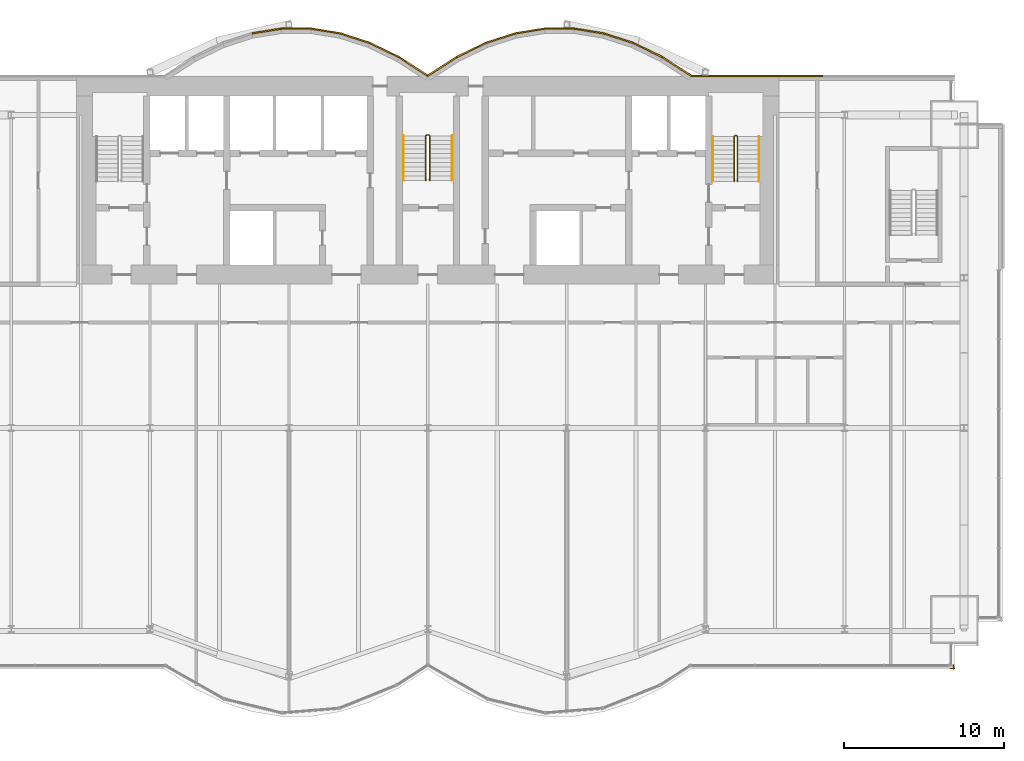
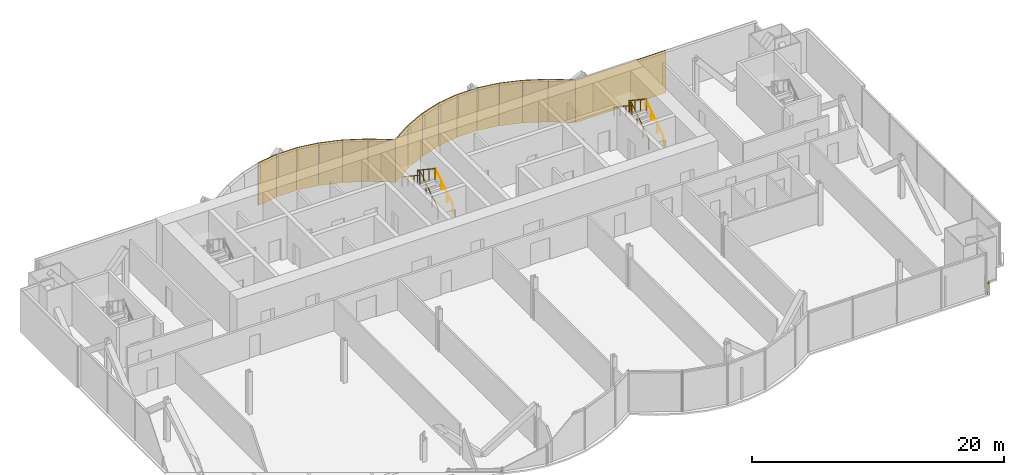
# One storey, part 20 of 21: 16 coverings, 7 railings.
"""IFC4 building model written with IfcOpenShell, lengths in metres."""

from ifc_helpers import new_model, si_unit, direction, frame, origin, origin_2d, place, context, subcontext, project, spatial, rectangle, circle, extrude, material, layer, layer_set, type_object, element, save


model = new_model("IFC4")

# Units and contexts
model_context = context("Model", 3, precision=1e-05, world=origin(), true_north=direction((0.0, 1.0)))
body_context = subcontext(model_context, "Body", "Model", "MODEL_VIEW")
ifc_project = project(units=[si_unit("LENGTHUNIT", "METRE"), si_unit("AREAUNIT", "SQUARE_METRE"), si_unit("VOLUMEUNIT", "CUBIC_METRE"), si_unit("PLANEANGLEUNIT", "RADIAN"), si_unit("MASSUNIT", "GRAM", prefix="KILO")], contexts=[model_context])

# Site, building, storey
site_placement = place(None, origin())
site = spatial("IfcSite", under=ifc_project, at=site_placement, CompositionType="ELEMENT")
building_placement = place(site_placement, origin())
building = spatial("IfcBuilding", under=site, at=building_placement, Name="Bicima Exchange Tower", CompositionType="ELEMENT")
storey_placement = place(building_placement, frame((0.0, 0.0, 122.699951171875)))
storey = spatial("IfcBuildingStorey", under=building, at=storey_placement, Name="L26", CompositionType="ELEMENT", Elevation=122.699951171875)

# Coverings
ifc_material_1 = material(Name="Bronze metal cladding")
ifc_layer_1 = layer(ifc_material_1, 0.004)
ifc_material_2 = material(Name="Ventilated cavity")
ifc_layer_2 = layer(ifc_material_2, 0.06)
ifc_material_3 = material(Name="Galvanised steel rail and mineral wool", Category="steel")
ifc_layer_3 = layer(ifc_material_3, 0.036)
ifc_layer_set = layer_set([ifc_layer_1, ifc_layer_2, ifc_layer_3], Name="Ventilated cavity")
covering_type = type_object("IfcCoveringType", Name="Bronze metal cladding panel 100", PredefinedType="CLADDING", material=ifc_layer_set)
covering_1_placement = place(storey_placement, frame((20.625, 0.050048828125, -0.14990234375), z_axis=(0.0, 0.0, 1.0), x_axis=(-1.0, 0.0, 0.0)))
element("IfcCovering", 1, at=covering_1_placement, inside=storey, type_object=covering_type, Name="Bronze cladding L26 1.2", PredefinedType="CLADDING", context=body_context, shape_type="SweptSolid", body=[
    extrude(rectangle(XDim=8.25, YDim=0.10009765625, at=origin_2d()), origin(), (0.0, 0.0, 1.0), 4.10009765625),
])
covering_2_placement = place(storey_placement, frame((15.610595703125, 0.634521484375, -0.14990234375), z_axis=(0.0, 0.0, 1.0), x_axis=(-0.839790466384, 0.542910648791, 0.0)))
element("IfcCovering", 2, at=covering_2_placement, inside=storey, type_object=covering_type, Name="Bronze cladding L26 2.1", PredefinedType="CLADDING", context=body_context, shape_type="SweptSolid", body=[
    extrude(rectangle(XDim=2.18310546875, YDim=0.10009765625, at=origin_2d()), origin(), (0.0, 0.0, 1.0), 4.10009765625),
])
covering_3_placement = place(storey_placement, frame((13.771728515625, 1.674560546875, -0.14990234375), z_axis=(0.0, 0.0, 1.0), x_axis=(-0.899818346812, 0.436264762204, 0.0)))
element("IfcCovering", 3, at=covering_3_placement, inside=storey, type_object=covering_type, Name="Bronze cladding L26 3.1", PredefinedType="CLADDING", context=body_context, shape_type="SweptSolid", body=[
    extrude(rectangle(XDim=2.03759765625, YDim=0.10009765625, at=origin_2d()), origin(), (0.0, 0.0, 1.0), 4.10009765625),
])
covering_4_placement = place(storey_placement, frame((11.931884765625, 2.41796875, -0.14990234375), z_axis=(0.0, 0.0, 1.0), x_axis=(-0.951524642381, 0.307572519808, 0.0)))
element("IfcCovering", 4, at=covering_4_placement, inside=storey, type_object=covering_type, Name="Bronze cladding L26 4.1", PredefinedType="CLADDING", context=body_context, shape_type="SweptSolid", body=[
    extrude(rectangle(XDim=1.9267578125, YDim=0.10009765625, at=origin_2d()), origin(), (0.0, 0.0, 1.0), 4.10009765625),
])
covering_5_placement = place(storey_placement, frame((10.09130859375, 2.8642578125, -0.14990234375), z_axis=(0.0, 0.0, 1.0), x_axis=(-0.987189786347, 0.159550386184, 0.0)))
element("IfcCovering", 5, at=covering_5_placement, inside=storey, type_object=covering_type, Name="Bronze cladding L26 5.1", PredefinedType="CLADDING", context=body_context, shape_type="SweptSolid", body=[
    extrude(rectangle(XDim=1.857177734375, YDim=0.10009765625, at=origin_2d()), origin(), (0.0, 0.0, 1.0), 4.10009765625),
])
covering_6_placement = place(storey_placement, frame((8.25, 3.012939453125, -0.14990234375), z_axis=(0.0, 0.0, 1.0), x_axis=(-1.0, 0.0, 0.0)))
element("IfcCovering", 6, at=covering_6_placement, inside=storey, type_object=covering_type, Name="Bronze cladding L26 6.1", PredefinedType="CLADDING", context=body_context, shape_type="SweptSolid", body=[
    extrude(rectangle(XDim=1.83349609375, YDim=0.10009765625, at=origin_2d()), origin(), (0.0, 0.0, 1.0), 4.10009765625),
])
covering_7_placement = place(storey_placement, frame((6.40869140625, 2.8642578125, -0.14990234375), z_axis=(0.0, 0.0, 1.0), x_axis=(-0.987189786347, -0.159550386184, 0.0)))
element("IfcCovering", 7, at=covering_7_placement, inside=storey, type_object=covering_type, Name="Bronze cladding L26 7.1", PredefinedType="CLADDING", context=body_context, shape_type="SweptSolid", body=[
    extrude(rectangle(XDim=1.857177734375, YDim=0.10009765625, at=origin_2d()), origin(), (0.0, 0.0, 1.0), 4.10009765625),
])
covering_8_placement = place(storey_placement, frame((4.568115234375, 2.41796875, -0.14990234375), z_axis=(0.0, 0.0, 1.0), x_axis=(-0.951524642381, -0.307572519808, 0.0)))
element("IfcCovering", 8, at=covering_8_placement, inside=storey, type_object=covering_type, Name="Bronze cladding L26 8.1", PredefinedType="CLADDING", context=body_context, shape_type="SweptSolid", body=[
    extrude(rectangle(XDim=1.9267578125, YDim=0.10009765625, at=origin_2d()), origin(), (0.0, 0.0, 1.0), 4.10009765625),
])
covering_9_placement = place(storey_placement, frame((2.728271484375, 1.674560546875, -0.14990234375), z_axis=(0.0, 0.0, 1.0), x_axis=(-0.899818346812, -0.436264762204, 0.0)))
element("IfcCovering", 9, at=covering_9_placement, inside=storey, type_object=covering_type, Name="Bronze cladding L26 9.1", PredefinedType="CLADDING", context=body_context, shape_type="SweptSolid", body=[
    extrude(rectangle(XDim=2.03759765625, YDim=0.10009765625, at=origin_2d()), origin(), (0.0, 0.0, 1.0), 4.10009765625),
])
for number, where, z_axis, x_axis, name in (
    (10, (0.889404296875, 0.634521484375, -0.14990234375), (0.0, 0.0, 1.0), (-0.839790466384, -0.542910648791, 0.0), "Bronze cladding L26 10.1"),
    (11, (-0.889404296875, 0.634521484375, -0.14990234375), (0.0, 0.0, 1.0), (-0.839790466384, 0.542910648791, 0.0), "Bronze cladding L26 11.1"),
):
    element("IfcCovering", number, at=place(storey_placement, frame(where, z_axis=z_axis, x_axis=x_axis)), inside=storey, type_object=covering_type, Name=name, PredefinedType="CLADDING", context=body_context, shape_type="SweptSolid", body=[
        extrude(rectangle(XDim=2.18310546875, YDim=0.10009765625, at=origin_2d()), origin(), (0.0, 0.0, 1.0), 4.10009765625),
    ])
covering_10_placement = place(storey_placement, frame((-2.728271484375, 1.674560546875, -0.14990234375), z_axis=(0.0, 0.0, 1.0), x_axis=(-0.899818346812, 0.436264762204, 0.0)))
element("IfcCovering", 12, at=covering_10_placement, inside=storey, type_object=covering_type, Name="Bronze cladding L26 12.1", PredefinedType="CLADDING", context=body_context, shape_type="SweptSolid", body=[
    extrude(rectangle(XDim=2.03759765625, YDim=0.10009765625, at=origin_2d()), origin(), (0.0, 0.0, 1.0), 4.10009765625),
])
covering_11_placement = place(storey_placement, frame((-4.568115234375, 2.41796875, -0.14990234375), z_axis=(0.0, 0.0, 1.0), x_axis=(-0.951524642381, 0.307572519808, 0.0)))
element("IfcCovering", 13, at=covering_11_placement, inside=storey, type_object=covering_type, Name="Bronze cladding L26 13.1", PredefinedType="CLADDING", context=body_context, shape_type="SweptSolid", body=[
    extrude(rectangle(XDim=1.9267578125, YDim=0.10009765625, at=origin_2d()), origin(), (0.0, 0.0, 1.0), 4.10009765625),
])
covering_12_placement = place(storey_placement, frame((-6.40869140625, 2.8642578125, -0.14990234375), z_axis=(0.0, 0.0, 1.0), x_axis=(-0.987189786347, 0.159550386184, 0.0)))
element("IfcCovering", 14, at=covering_12_placement, inside=storey, type_object=covering_type, Name="Bronze cladding L26 14.1", PredefinedType="CLADDING", context=body_context, shape_type="SweptSolid", body=[
    extrude(rectangle(XDim=1.857177734375, YDim=0.10009765625, at=origin_2d()), origin(), (0.0, 0.0, 1.0), 4.10009765625),
])
covering_13_placement = place(storey_placement, frame((-8.25, 3.012939453125, -0.14990234375), z_axis=(0.0, 0.0, 1.0), x_axis=(-1.0, 0.0, 0.0)))
element("IfcCovering", 15, at=covering_13_placement, inside=storey, type_object=covering_type, Name="Bronze cladding L26 15.1", PredefinedType="CLADDING", context=body_context, shape_type="SweptSolid", body=[
    extrude(rectangle(XDim=1.83349609375, YDim=0.10009765625, at=origin_2d()), origin(), (0.0, 0.0, 1.0), 4.10009765625),
])
covering_14_placement = place(storey_placement, frame((-10.09130859375, 2.8642578125, -0.14990234375), z_axis=(0.0, 0.0, 1.0), x_axis=(-0.987189786347, -0.159550386184, 0.0)))
element("IfcCovering", 16, at=covering_14_placement, inside=storey, type_object=covering_type, Name="Bronze cladding L26 16.1", PredefinedType="CLADDING", context=body_context, shape_type="SweptSolid", body=[
    extrude(rectangle(XDim=1.857177734375, YDim=0.10009765625, at=origin_2d()), origin(), (0.0, 0.0, 1.0), 4.10009765625),
])

# Railings
ifc_material_4 = material(Name="Stainless steel and bonded safety glass", Category="steel")
railing_type_1 = type_object("IfcRailingType", Name="Edge guard 1100", PredefinedType="GUARDRAIL", material=ifc_material_4)
railing_1_placement = place(storey_placement, frame((32.949951171875, -36.8701171875, 0.0)))
element("IfcRailing", 17, at=railing_1_placement, inside=storey, type_object=railing_type_1, Name="Edge guard L26 130", PredefinedType="GUARDRAIL", context=body_context, shape_type="SweptSolid", body=[
    extrude(circle(Radius=0.02392578125, at=origin_2d()), frame((0.0, 0.0, 1.076171875), z_axis=(0.0, -1.0, 0.0), x_axis=(1.0, 0.0, 0.0)), (0.0, 0.0, 1.0), 0.25),
    extrude(circle(Radius=0.02392578125, at=origin_2d()), frame((0.0, -0.25, 1.076171875), z_axis=(0.707106781187, 0.707106781187, 0.0), x_axis=(-0.707106781187, 0.707106781187, 0.0)), (0.0, 0.0, 1.0), 0.07080078125),
    extrude(circle(Radius=0.02392578125, at=origin_2d()), frame((0.050048828125, -0.199951171875, 1.076171875), z_axis=(-1.0, 0.0, 0.0), x_axis=(0.0, -1.0, 0.0)), (0.0, 0.0, 1.0), 0.25),
    extrude(circle(Radius=0.02099609375, at=origin_2d()), origin(), (0.0, 0.0, 1.0), 1.052001953125),
    extrude(circle(Radius=0.02099609375, at=origin_2d()), frame((0.0, -0.25, 0.0)), (0.0, 0.0, 1.0), 1.052001953125),
    extrude(circle(Radius=0.02099609375, at=origin_2d()), frame((0.050048828125, -0.199951171875, 0.0)), (0.0, 0.0, 1.0), 1.052001953125),
    extrude(circle(Radius=0.02099609375, at=origin_2d()), frame((-0.199951171875, -0.199951171875, 0.0)), (0.0, 0.0, 1.0), 1.052001953125),
])
ifc_material_5 = material(Name="Stainless steel", Category="steel")
railing_type_2 = type_object("IfcRailingType", Name="Stair guard 1100", PredefinedType="GUARDRAIL", material=ifc_material_5)
railing_2_placement = place(storey_placement, frame((0.125, -6.5, 0.1865234375)))
element("IfcRailing", 18, at=railing_2_placement, inside=storey, type_object=railing_type_2, Name="L26 ST-C stair guard 1", PredefinedType="GUARDRAIL", context=body_context, shape_type="SweptSolid", body=[
    extrude(circle(Radius=0.02392578125, at=origin_2d()), frame((0.0, 0.0, 1.076171875), z_axis=(0.0, 0.832485552168, 0.554046753832), x_axis=(-1.0, 0.0, 0.0)), (0.0, 0.0, 1.0), 3.363525390625),
    extrude(circle(Radius=0.02392578125, at=origin_2d()), frame((0.0, 2.800048828125, 2.939453125), z_axis=(-0.707106781187, 0.707106781187, 0.0), x_axis=(-0.707106781187, -0.707106781187, 0.0)), (0.0, 0.0, 1.0), 0.07080078125),
    extrude(circle(Radius=0.02392578125, at=origin_2d()), frame((-0.050048828125, 2.85009765625, 2.939453125), z_axis=(-1.0, 0.0, 0.0), x_axis=(0.0, -1.0, 0.0)), (0.0, 0.0, 1.0), 0.14990234375),
    extrude(circle(Radius=0.02392578125, at=origin_2d()), frame((-0.199951171875, 2.85009765625, 2.939453125), z_axis=(-0.251157038772, -0.251157038772, 0.934794246747), x_axis=(0.707106781187, -0.707106781187, 0.0)), (0.0, 0.0, 1.0), 0.19921875),
    extrude(circle(Radius=0.02392578125, at=origin_2d()), frame((-0.25, 2.800048828125, 3.1259765625), z_axis=(0.0, -0.832452072856, 0.554097055034), x_axis=(1.0, 0.0, 0.0)), (0.0, 0.0, 1.0), 3.363525390625),
    extrude(circle(Radius=0.02099609375, at=origin_2d()), origin(), (0.0, 0.0, 1.0), 1.052001953125),
    extrude(circle(Radius=0.02099609375, at=origin_2d()), frame((0.0, 0.933349609375, 0.62109375)), (0.0, 0.0, 1.0), 1.052001953125),
    extrude(circle(Radius=0.02099609375, at=origin_2d()), frame((0.0, 1.86669921875, 1.242431640625)), (0.0, 0.0, 1.0), 1.052001953125),
    extrude(circle(Radius=0.02099609375, at=origin_2d()), frame((0.0, 2.800048828125, 1.863525390625)), (0.0, 0.0, 1.0), 1.052001953125),
    extrude(circle(Radius=0.02099609375, at=origin_2d()), frame((-0.050048828125, 2.85009765625, 1.863525390625)), (0.0, 0.0, 1.0), 1.052001953125),
    extrude(circle(Radius=0.02099609375, at=origin_2d()), frame((-0.199951171875, 2.85009765625, 1.863525390625)), (0.0, 0.0, 1.0), 1.052001953125),
    extrude(circle(Radius=0.02099609375, at=origin_2d()), frame((-0.25, 2.800048828125, 2.0498046875)), (0.0, 0.0, 1.0), 1.052001953125),
    extrude(circle(Radius=0.02099609375, at=origin_2d()), frame((-0.25, 1.86669921875, 2.671142578125)), (0.0, 0.0, 1.0), 1.052001953125),
    extrude(circle(Radius=0.02099609375, at=origin_2d()), frame((-0.25, 0.933349609375, 3.292236328125)), (0.0, 0.0, 1.0), 1.052001953125),
    extrude(circle(Radius=0.02099609375, at=origin_2d()), frame((-0.25, 0.0, 3.91357421875)), (0.0, 0.0, 1.0), 1.052001953125),
])
railing_3_placement = place(storey_placement, frame((19.39990234375, -6.550048828125, 0.1865234375)))
element("IfcRailing", 19, at=railing_3_placement, inside=storey, type_object=railing_type_2, Name="L26 ST-E stair guard 1", PredefinedType="GUARDRAIL", context=body_context, shape_type="SweptSolid", body=[
    extrude(circle(Radius=0.02392578125, at=origin_2d()), frame((0.0, 0.0, 1.076171875), z_axis=(0.0, 0.832485552168, 0.554046753832), x_axis=(-1.0, 0.0, 0.0)), (0.0, 0.0, 1.0), 3.363525390625),
    extrude(circle(Radius=0.02392578125, at=origin_2d()), frame((0.0, 2.800048828125, 2.939453125), z_axis=(-0.705375805398, 0.708833529934, 0.0), x_axis=(-0.708833529934, -0.705375805398, 0.0)), (0.0, 0.0, 1.0), 0.070556640625),
    extrude(circle(Radius=0.02392578125, at=origin_2d()), frame((-0.0498046875, 2.85009765625, 2.939453125), z_axis=(-1.0, 0.0, 0.0), x_axis=(0.0, -1.0, 0.0)), (0.0, 0.0, 1.0), 0.10009765625),
    extrude(circle(Radius=0.02392578125, at=origin_2d()), frame((-0.14990234375, 2.85009765625, 2.939453125), z_axis=(-0.251157038772, -0.251157038772, 0.934794246747), x_axis=(0.707106781187, -0.707106781187, 0.0)), (0.0, 0.0, 1.0), 0.19921875),
    extrude(circle(Radius=0.02392578125, at=origin_2d()), frame((-0.199951171875, 2.800048828125, 3.1259765625), z_axis=(0.0, -0.832452072856, 0.554097055034), x_axis=(1.0, 0.0, 0.0)), (0.0, 0.0, 1.0), 3.363525390625),
    extrude(circle(Radius=0.02099609375, at=origin_2d()), origin(), (0.0, 0.0, 1.0), 1.052001953125),
    extrude(circle(Radius=0.02099609375, at=origin_2d()), frame((0.0, 0.933349609375, 0.62109375)), (0.0, 0.0, 1.0), 1.052001953125),
    extrude(circle(Radius=0.02099609375, at=origin_2d()), frame((0.0, 1.86669921875, 1.242431640625)), (0.0, 0.0, 1.0), 1.052001953125),
    extrude(circle(Radius=0.02099609375, at=origin_2d()), frame((0.0, 2.800048828125, 1.863525390625)), (0.0, 0.0, 1.0), 1.052001953125),
    extrude(circle(Radius=0.02099609375, at=origin_2d()), frame((-0.0498046875, 2.85009765625, 1.863525390625)), (0.0, 0.0, 1.0), 1.052001953125),
    extrude(circle(Radius=0.02099609375, at=origin_2d()), frame((-0.14990234375, 2.85009765625, 1.863525390625)), (0.0, 0.0, 1.0), 1.052001953125),
    extrude(circle(Radius=0.02099609375, at=origin_2d()), frame((-0.199951171875, 2.800048828125, 2.0498046875)), (0.0, 0.0, 1.0), 1.052001953125),
    extrude(circle(Radius=0.02099609375, at=origin_2d()), frame((-0.199951171875, 1.86669921875, 2.671142578125)), (0.0, 0.0, 1.0), 1.052001953125),
    extrude(circle(Radius=0.02099609375, at=origin_2d()), frame((-0.199951171875, 0.933349609375, 3.292236328125)), (0.0, 0.0, 1.0), 1.052001953125),
    extrude(circle(Radius=0.02099609375, at=origin_2d()), frame((-0.199951171875, 0.0, 3.91357421875)), (0.0, 0.0, 1.0), 1.052001953125),
])
railing_type_3 = type_object("IfcRailingType", Name="Stair handrail 900", PredefinedType="HANDRAIL", material=ifc_material_5)
railing_4_placement = place(storey_placement, frame((1.52490234375, -6.5, 0.1865234375)))
element("IfcRailing", 20, at=railing_4_placement, inside=storey, type_object=railing_type_3, Name="L26 ST-C stair handrail 1", PredefinedType="HANDRAIL", context=body_context, shape_type="SweptSolid", body=[
    extrude(circle(Radius=0.02392578125, at=origin_2d()), frame((0.0, 0.0, 0.8759765625), z_axis=(0.0, 0.832485552168, 0.554046753832), x_axis=(-1.0, 0.0, 0.0)), (0.0, 0.0, 1.0), 3.363525390625),
    extrude(circle(Radius=0.02099609375, at=origin_2d()), origin(), (0.0, 0.0, 1.0), 0.851806640625),
    extrude(circle(Radius=0.02099609375, at=origin_2d()), frame((0.0, 0.933349609375, 0.62109375)), (0.0, 0.0, 1.0), 0.851806640625),
    extrude(circle(Radius=0.02099609375, at=origin_2d()), frame((0.0, 1.86669921875, 1.242431640625)), (0.0, 0.0, 1.0), 0.851806640625),
    extrude(circle(Radius=0.02099609375, at=origin_2d()), frame((0.0, 2.800048828125, 1.863525390625)), (0.0, 0.0, 1.0), 0.851806640625),
])
railing_5_placement = place(storey_placement, frame((-1.52490234375, -3.699951171875, 2.27685546875)))
element("IfcRailing", 21, at=railing_5_placement, inside=storey, type_object=railing_type_3, Name="L26 ST-C stair handrail 2", PredefinedType="HANDRAIL", context=body_context, shape_type="SweptSolid", body=[
    extrude(circle(Radius=0.02392578125, at=origin_2d()), frame((0.0, 0.0, 0.8759765625), z_axis=(0.0, -0.832485552168, 0.554046753832), x_axis=(1.0, 0.0, 0.0)), (0.0, 0.0, 1.0), 3.363525390625),
    extrude(circle(Radius=0.02099609375, at=origin_2d()), origin(), (0.0, 0.0, 1.0), 0.851806640625),
    extrude(circle(Radius=0.02099609375, at=origin_2d()), frame((0.0, -0.933349609375, 0.62109375)), (0.0, 0.0, 1.0), 0.851806640625),
    extrude(circle(Radius=0.02099609375, at=origin_2d()), frame((0.0, -1.86669921875, 1.242431640625)), (0.0, 0.0, 1.0), 0.851806640625),
    extrude(circle(Radius=0.02099609375, at=origin_2d()), frame((0.0, -2.800048828125, 1.863525390625)), (0.0, 0.0, 1.0), 0.851806640625),
])
railing_6_placement = place(storey_placement, frame((20.75, -6.550048828125, 0.1865234375)))
element("IfcRailing", 22, at=railing_6_placement, inside=storey, type_object=railing_type_3, Name="L26 ST-E stair handrail 1", PredefinedType="HANDRAIL", context=body_context, shape_type="SweptSolid", body=[
    extrude(circle(Radius=0.02392578125, at=origin_2d()), frame((0.0, 0.0, 0.8759765625), z_axis=(0.0, 0.832485552168, 0.554046753832), x_axis=(-1.0, 0.0, 0.0)), (0.0, 0.0, 1.0), 3.363525390625),
    extrude(circle(Radius=0.02099609375, at=origin_2d()), origin(), (0.0, 0.0, 1.0), 0.851806640625),
    extrude(circle(Radius=0.02099609375, at=origin_2d()), frame((0.0, 0.933349609375, 0.62109375)), (0.0, 0.0, 1.0), 0.851806640625),
    extrude(circle(Radius=0.02099609375, at=origin_2d()), frame((0.0, 1.86669921875, 1.242431640625)), (0.0, 0.0, 1.0), 0.851806640625),
    extrude(circle(Radius=0.02099609375, at=origin_2d()), frame((0.0, 2.800048828125, 1.863525390625)), (0.0, 0.0, 1.0), 0.851806640625),
])
railing_7_placement = place(storey_placement, frame((17.85009765625, -3.75, 2.27685546875)))
element("IfcRailing", 23, at=railing_7_placement, inside=storey, type_object=railing_type_3, Name="L26 ST-E stair handrail 2", PredefinedType="HANDRAIL", context=body_context, shape_type="SweptSolid", body=[
    extrude(circle(Radius=0.02392578125, at=origin_2d()), frame((0.0, 0.0, 0.8759765625), z_axis=(0.0, -0.832485552168, 0.554046753832), x_axis=(1.0, 0.0, 0.0)), (0.0, 0.0, 1.0), 3.363525390625),
    extrude(circle(Radius=0.02099609375, at=origin_2d()), origin(), (0.0, 0.0, 1.0), 0.851806640625),
    extrude(circle(Radius=0.02099609375, at=origin_2d()), frame((0.0, -0.933349609375, 0.62109375)), (0.0, 0.0, 1.0), 0.851806640625),
    extrude(circle(Radius=0.02099609375, at=origin_2d()), frame((0.0, -1.86669921875, 1.242431640625)), (0.0, 0.0, 1.0), 0.851806640625),
    extrude(circle(Radius=0.02099609375, at=origin_2d()), frame((0.0, -2.800048828125, 1.863525390625)), (0.0, 0.0, 1.0), 0.851806640625),
])

save(model, "model.ifc")
